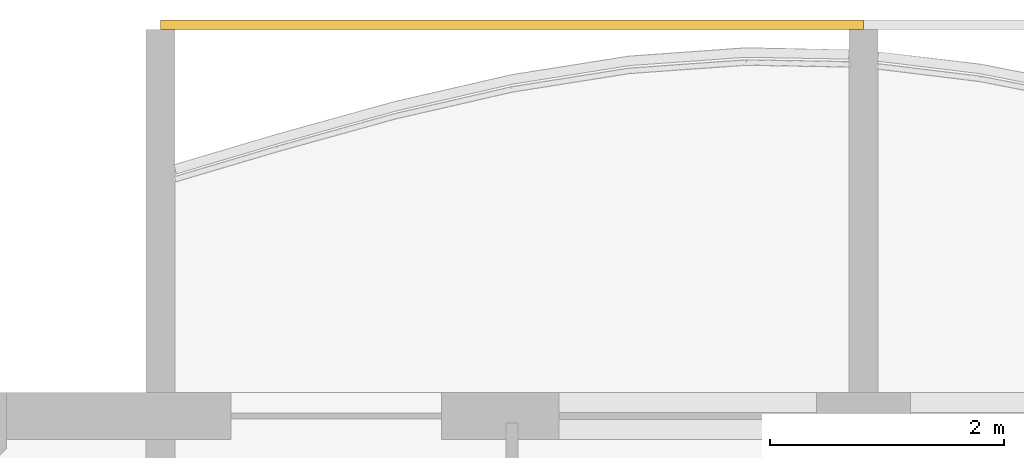
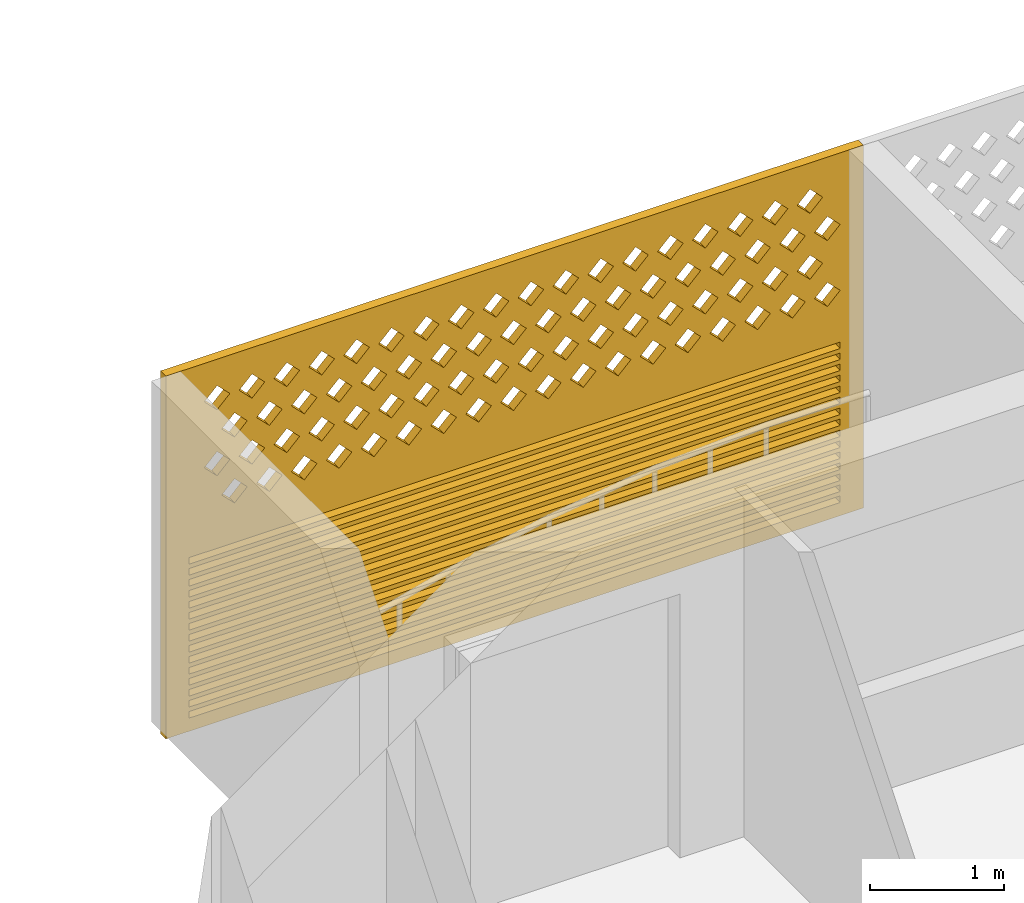
# One storey, part 16 of 28: 1 covering.
"""IFC4 building model written with IfcOpenShell, lengths in metres."""

from ifc_helpers import new_model, si_unit, direction, frame, origin, place, context, subcontext, project, spatial, polyline, outline, extrude, source, transform, mapped, material, material_profile, profile_set, type_object, element, save


model = new_model("IFC4")

# Units and contexts
model_context = context("Model", 3, precision=1e-05, world=origin(), true_north=direction((0.0, 1.0)))
body_context = subcontext(model_context, "Body", "Model", "MODEL_VIEW")
ifc_project = project(units=[si_unit("LENGTHUNIT", "METRE"), si_unit("AREAUNIT", "SQUARE_METRE"), si_unit("VOLUMEUNIT", "CUBIC_METRE"), si_unit("PLANEANGLEUNIT", "RADIAN"), si_unit("MASSUNIT", "GRAM", prefix="KILO")], contexts=[model_context])

# Site, building, storey
site_placement = place(None, origin())
site = spatial("IfcSite", under=ifc_project, at=site_placement, CompositionType="ELEMENT")
building_placement = place(site_placement, origin())
building = spatial("IfcBuilding", under=site, at=building_placement, Name="Poui Terraces", CompositionType="ELEMENT")
storey_placement = place(building_placement, frame((0.0, 0.0, 181.800048828125)))
storey = spatial("IfcBuildingStorey", under=building, at=storey_placement, Name="L50", CompositionType="ELEMENT", Elevation=181.800048828125)

# Covering
ifc_material = material(Name="Terracotta screen", Category="masonry")
ifc_material_profile = material_profile(ifc_material, outline(polyline([(-3.0, -1.64990234375), (3.0, -1.64990234375), (3.0, 1.64990234375), (-3.0, 1.64990234375), (-3.0, -1.64990234375)]), holes=[polyline([(-2.800048828125, 0.39990234375), (-2.68994140625, 0.2900390625), (-2.580078125, 0.39990234375), (-2.68994140625, 0.510009765625), (-2.800048828125, 0.39990234375)]), polyline([(-2.5, 0.39990234375), (-2.389892578125, 0.2900390625), (-2.280029296875, 0.39990234375), (-2.389892578125, 0.510009765625), (-2.5, 0.39990234375)]), polyline([(-2.199951171875, 0.39990234375), (-2.090087890625, 0.2900390625), (-1.97998046875, 0.39990234375), (-2.090087890625, 0.510009765625), (-2.199951171875, 0.39990234375)]), polyline([(-1.89990234375, 0.39990234375), (-1.7900390625, 0.2900390625), (-1.679931640625, 0.39990234375), (-1.7900390625, 0.510009765625), (-1.89990234375, 0.39990234375)]), polyline([(-1.60009765625, 0.39990234375), (-1.489990234375, 0.2900390625), (-1.3798828125, 0.39990234375), (-1.489990234375, 0.510009765625), (-1.60009765625, 0.39990234375)]), polyline([(-1.300048828125, 0.39990234375), (-1.18994140625, 0.2900390625), (-1.080078125, 0.39990234375), (-1.18994140625, 0.510009765625), (-1.300048828125, 0.39990234375)]), polyline([(-1.0, 0.39990234375), (-0.889892578125, 0.2900390625), (-0.780029296875, 0.39990234375), (-0.889892578125, 0.510009765625), (-1.0, 0.39990234375)]), polyline([(-0.699951171875, 0.39990234375), (-0.590087890625, 0.2900390625), (-0.47998046875, 0.39990234375), (-0.590087890625, 0.510009765625), (-0.699951171875, 0.39990234375)]), polyline([(-0.39990234375, 0.39990234375), (-0.2900390625, 0.2900390625), (-0.179931640625, 0.39990234375), (-0.2900390625, 0.510009765625), (-0.39990234375, 0.39990234375)]), polyline([(-0.10009765625, 0.39990234375), (0.010009765625, 0.2900390625), (0.1201171875, 0.39990234375), (0.010009765625, 0.510009765625), (-0.10009765625, 0.39990234375)]), polyline([(0.199951171875, 0.39990234375), (0.31005859375, 0.2900390625), (0.419921875, 0.39990234375), (0.31005859375, 0.510009765625), (0.199951171875, 0.39990234375)]), polyline([(0.5, 0.39990234375), (0.610107421875, 0.2900390625), (0.719970703125, 0.39990234375), (0.610107421875, 0.510009765625), (0.5, 0.39990234375)]), polyline([(0.800048828125, 0.39990234375), (0.909912109375, 0.2900390625), (1.02001953125, 0.39990234375), (0.909912109375, 0.510009765625), (0.800048828125, 0.39990234375)]), polyline([(1.10009765625, 0.39990234375), (1.2099609375, 0.2900390625), (1.320068359375, 0.39990234375), (1.2099609375, 0.510009765625), (1.10009765625, 0.39990234375)]), polyline([(1.39990234375, 0.39990234375), (1.510009765625, 0.2900390625), (1.6201171875, 0.39990234375), (1.510009765625, 0.510009765625), (1.39990234375, 0.39990234375)]), polyline([(1.699951171875, 0.39990234375), (1.81005859375, 0.2900390625), (1.919921875, 0.39990234375), (1.81005859375, 0.510009765625), (1.699951171875, 0.39990234375)]), polyline([(2.0, 0.39990234375), (2.110107421875, 0.2900390625), (2.219970703125, 0.39990234375), (2.110107421875, 0.510009765625), (2.0, 0.39990234375)]), polyline([(2.300048828125, 0.39990234375), (2.409912109375, 0.2900390625), (2.52001953125, 0.39990234375), (2.409912109375, 0.510009765625), (2.300048828125, 0.39990234375)]), polyline([(-2.64990234375, 0.699951171875), (-2.5400390625, 0.590087890625), (-2.429931640625, 0.699951171875), (-2.5400390625, 0.81005859375), (-2.64990234375, 0.699951171875)]), polyline([(-2.35009765625, 0.699951171875), (-2.239990234375, 0.590087890625), (-2.1298828125, 0.699951171875), (-2.239990234375, 0.81005859375), (-2.35009765625, 0.699951171875)]), polyline([(-2.050048828125, 0.699951171875), (-1.93994140625, 0.590087890625), (-1.830078125, 0.699951171875), (-1.93994140625, 0.81005859375), (-2.050048828125, 0.699951171875)]), polyline([(-1.75, 0.699951171875), (-1.639892578125, 0.590087890625), (-1.530029296875, 0.699951171875), (-1.639892578125, 0.81005859375), (-1.75, 0.699951171875)]), polyline([(-1.449951171875, 0.699951171875), (-1.340087890625, 0.590087890625), (-1.22998046875, 0.699951171875), (-1.340087890625, 0.81005859375), (-1.449951171875, 0.699951171875)]), polyline([(-1.14990234375, 0.699951171875), (-1.0400390625, 0.590087890625), (-0.929931640625, 0.699951171875), (-1.0400390625, 0.81005859375), (-1.14990234375, 0.699951171875)]), polyline([(-0.85009765625, 0.699951171875), (-0.739990234375, 0.590087890625), (-0.6298828125, 0.699951171875), (-0.739990234375, 0.81005859375), (-0.85009765625, 0.699951171875)]), polyline([(-0.550048828125, 0.699951171875), (-0.43994140625, 0.590087890625), (-0.330078125, 0.699951171875), (-0.43994140625, 0.81005859375), (-0.550048828125, 0.699951171875)]), polyline([(-0.25, 0.699951171875), (-0.139892578125, 0.590087890625), (-0.030029296875, 0.699951171875), (-0.139892578125, 0.81005859375), (-0.25, 0.699951171875)]), polyline([(0.050048828125, 0.699951171875), (0.159912109375, 0.590087890625), (0.27001953125, 0.699951171875), (0.159912109375, 0.81005859375), (0.050048828125, 0.699951171875)]), polyline([(0.35009765625, 0.699951171875), (0.4599609375, 0.590087890625), (0.570068359375, 0.699951171875), (0.4599609375, 0.81005859375), (0.35009765625, 0.699951171875)]), polyline([(0.64990234375, 0.699951171875), (0.760009765625, 0.590087890625), (0.8701171875, 0.699951171875), (0.760009765625, 0.81005859375), (0.64990234375, 0.699951171875)]), polyline([(0.949951171875, 0.699951171875), (1.06005859375, 0.590087890625), (1.169921875, 0.699951171875), (1.06005859375, 0.81005859375), (0.949951171875, 0.699951171875)]), polyline([(1.25, 0.699951171875), (1.360107421875, 0.590087890625), (1.469970703125, 0.699951171875), (1.360107421875, 0.81005859375), (1.25, 0.699951171875)]), polyline([(1.550048828125, 0.699951171875), (1.659912109375, 0.590087890625), (1.77001953125, 0.699951171875), (1.659912109375, 0.81005859375), (1.550048828125, 0.699951171875)]), polyline([(1.85009765625, 0.699951171875), (1.9599609375, 0.590087890625), (2.070068359375, 0.699951171875), (1.9599609375, 0.81005859375), (1.85009765625, 0.699951171875)]), polyline([(2.14990234375, 0.699951171875), (2.260009765625, 0.590087890625), (2.3701171875, 0.699951171875), (2.260009765625, 0.81005859375), (2.14990234375, 0.699951171875)]), polyline([(2.449951171875, 0.699951171875), (2.56005859375, 0.590087890625), (2.669921875, 0.699951171875), (2.56005859375, 0.81005859375), (2.449951171875, 0.699951171875)]), polyline([(-2.800048828125, 1.0), (-2.68994140625, 0.889892578125), (-2.580078125, 1.0), (-2.68994140625, 1.110107421875), (-2.800048828125, 1.0)]), polyline([(-2.5, 1.0), (-2.389892578125, 0.889892578125), (-2.280029296875, 1.0), (-2.389892578125, 1.110107421875), (-2.5, 1.0)]), polyline([(-2.199951171875, 1.0), (-2.090087890625, 0.889892578125), (-1.97998046875, 1.0), (-2.090087890625, 1.110107421875), (-2.199951171875, 1.0)]), polyline([(-1.89990234375, 1.0), (-1.7900390625, 0.889892578125), (-1.679931640625, 1.0), (-1.7900390625, 1.110107421875), (-1.89990234375, 1.0)]), polyline([(-1.60009765625, 1.0), (-1.489990234375, 0.889892578125), (-1.3798828125, 1.0), (-1.489990234375, 1.110107421875), (-1.60009765625, 1.0)]), polyline([(-1.300048828125, 1.0), (-1.18994140625, 0.889892578125), (-1.080078125, 1.0), (-1.18994140625, 1.110107421875), (-1.300048828125, 1.0)]), polyline([(-1.0, 1.0), (-0.889892578125, 0.889892578125), (-0.780029296875, 1.0), (-0.889892578125, 1.110107421875), (-1.0, 1.0)]), polyline([(-0.699951171875, 1.0), (-0.590087890625, 0.889892578125), (-0.47998046875, 1.0), (-0.590087890625, 1.110107421875), (-0.699951171875, 1.0)]), polyline([(-0.39990234375, 1.0), (-0.2900390625, 0.889892578125), (-0.179931640625, 1.0), (-0.2900390625, 1.110107421875), (-0.39990234375, 1.0)]), polyline([(-0.10009765625, 1.0), (0.010009765625, 0.889892578125), (0.1201171875, 1.0), (0.010009765625, 1.110107421875), (-0.10009765625, 1.0)]), polyline([(0.199951171875, 1.0), (0.31005859375, 0.889892578125), (0.419921875, 1.0), (0.31005859375, 1.110107421875), (0.199951171875, 1.0)]), polyline([(0.5, 1.0), (0.610107421875, 0.889892578125), (0.719970703125, 1.0), (0.610107421875, 1.110107421875), (0.5, 1.0)]), polyline([(0.800048828125, 1.0), (0.909912109375, 0.889892578125), (1.02001953125, 1.0), (0.909912109375, 1.110107421875), (0.800048828125, 1.0)]), polyline([(1.10009765625, 1.0), (1.2099609375, 0.889892578125), (1.320068359375, 1.0), (1.2099609375, 1.110107421875), (1.10009765625, 1.0)]), polyline([(1.39990234375, 1.0), (1.510009765625, 0.889892578125), (1.6201171875, 1.0), (1.510009765625, 1.110107421875), (1.39990234375, 1.0)]), polyline([(1.699951171875, 1.0), (1.81005859375, 0.889892578125), (1.919921875, 1.0), (1.81005859375, 1.110107421875), (1.699951171875, 1.0)]), polyline([(2.0, 1.0), (2.110107421875, 0.889892578125), (2.219970703125, 1.0), (2.110107421875, 1.110107421875), (2.0, 1.0)]), polyline([(2.300048828125, 1.0), (2.409912109375, 0.889892578125), (2.52001953125, 1.0), (2.409912109375, 1.110107421875), (2.300048828125, 1.0)]), polyline([(-2.64990234375, 1.300048828125), (-2.5400390625, 1.18994140625), (-2.429931640625, 1.300048828125), (-2.5400390625, 1.409912109375), (-2.64990234375, 1.300048828125)]), polyline([(-2.35009765625, 1.300048828125), (-2.239990234375, 1.18994140625), (-2.1298828125, 1.300048828125), (-2.239990234375, 1.409912109375), (-2.35009765625, 1.300048828125)]), polyline([(-2.050048828125, 1.300048828125), (-1.93994140625, 1.18994140625), (-1.830078125, 1.300048828125), (-1.93994140625, 1.409912109375), (-2.050048828125, 1.300048828125)]), polyline([(-1.75, 1.300048828125), (-1.639892578125, 1.18994140625), (-1.530029296875, 1.300048828125), (-1.639892578125, 1.409912109375), (-1.75, 1.300048828125)]), polyline([(-1.449951171875, 1.300048828125), (-1.340087890625, 1.18994140625), (-1.22998046875, 1.300048828125), (-1.340087890625, 1.409912109375), (-1.449951171875, 1.300048828125)]), polyline([(-1.14990234375, 1.300048828125), (-1.0400390625, 1.18994140625), (-0.929931640625, 1.300048828125), (-1.0400390625, 1.409912109375), (-1.14990234375, 1.300048828125)]), polyline([(-0.85009765625, 1.300048828125), (-0.739990234375, 1.18994140625), (-0.6298828125, 1.300048828125), (-0.739990234375, 1.409912109375), (-0.85009765625, 1.300048828125)]), polyline([(-0.550048828125, 1.300048828125), (-0.43994140625, 1.18994140625), (-0.330078125, 1.300048828125), (-0.43994140625, 1.409912109375), (-0.550048828125, 1.300048828125)]), polyline([(-0.25, 1.300048828125), (-0.139892578125, 1.18994140625), (-0.030029296875, 1.300048828125), (-0.139892578125, 1.409912109375), (-0.25, 1.300048828125)]), polyline([(0.050048828125, 1.300048828125), (0.159912109375, 1.18994140625), (0.27001953125, 1.300048828125), (0.159912109375, 1.409912109375), (0.050048828125, 1.300048828125)]), polyline([(0.35009765625, 1.300048828125), (0.4599609375, 1.18994140625), (0.570068359375, 1.300048828125), (0.4599609375, 1.409912109375), (0.35009765625, 1.300048828125)]), polyline([(0.64990234375, 1.300048828125), (0.760009765625, 1.18994140625), (0.8701171875, 1.300048828125), (0.760009765625, 1.409912109375), (0.64990234375, 1.300048828125)]), polyline([(0.949951171875, 1.300048828125), (1.06005859375, 1.18994140625), (1.169921875, 1.300048828125), (1.06005859375, 1.409912109375), (0.949951171875, 1.300048828125)]), polyline([(1.25, 1.300048828125), (1.360107421875, 1.18994140625), (1.469970703125, 1.300048828125), (1.360107421875, 1.409912109375), (1.25, 1.300048828125)]), polyline([(1.550048828125, 1.300048828125), (1.659912109375, 1.18994140625), (1.77001953125, 1.300048828125), (1.659912109375, 1.409912109375), (1.550048828125, 1.300048828125)]), polyline([(1.85009765625, 1.300048828125), (1.9599609375, 1.18994140625), (2.070068359375, 1.300048828125), (1.9599609375, 1.409912109375), (1.85009765625, 1.300048828125)]), polyline([(2.14990234375, 1.300048828125), (2.260009765625, 1.18994140625), (2.3701171875, 1.300048828125), (2.260009765625, 1.409912109375), (2.14990234375, 1.300048828125)]), polyline([(2.449951171875, 1.300048828125), (2.56005859375, 1.18994140625), (2.669921875, 1.300048828125), (2.56005859375, 1.409912109375), (2.449951171875, 1.300048828125)]), polyline([(-2.800048828125, -1.530029296875), (2.800048828125, -1.530029296875), (2.800048828125, -1.469970703125), (-2.800048828125, -1.469970703125), (-2.800048828125, -1.530029296875)]), polyline([(-2.800048828125, -1.429931640625), (2.800048828125, -1.429931640625), (2.800048828125, -1.3701171875), (-2.800048828125, -1.3701171875), (-2.800048828125, -1.429931640625)]), polyline([(-2.800048828125, -1.330078125), (2.800048828125, -1.330078125), (2.800048828125, -1.27001953125), (-2.800048828125, -1.27001953125), (-2.800048828125, -1.330078125)]), polyline([(-2.800048828125, -1.22998046875), (2.800048828125, -1.22998046875), (2.800048828125, -1.169921875), (-2.800048828125, -1.169921875), (-2.800048828125, -1.22998046875)]), polyline([(-2.800048828125, -1.1298828125), (2.800048828125, -1.1298828125), (2.800048828125, -1.070068359375), (-2.800048828125, -1.070068359375), (-2.800048828125, -1.1298828125)]), polyline([(-2.800048828125, -1.030029296875), (2.800048828125, -1.030029296875), (2.800048828125, -0.969970703125), (-2.800048828125, -0.969970703125), (-2.800048828125, -1.030029296875)]), polyline([(-2.800048828125, -0.929931640625), (2.800048828125, -0.929931640625), (2.800048828125, -0.8701171875), (-2.800048828125, -0.8701171875), (-2.800048828125, -0.929931640625)]), polyline([(-2.800048828125, -0.830078125), (2.800048828125, -0.830078125), (2.800048828125, -0.77001953125), (-2.800048828125, -0.77001953125), (-2.800048828125, -0.830078125)]), polyline([(-2.800048828125, -0.72998046875), (2.800048828125, -0.72998046875), (2.800048828125, -0.669921875), (-2.800048828125, -0.669921875), (-2.800048828125, -0.72998046875)]), polyline([(-2.800048828125, -0.6298828125), (2.800048828125, -0.6298828125), (2.800048828125, -0.570068359375), (-2.800048828125, -0.570068359375), (-2.800048828125, -0.6298828125)]), polyline([(-2.800048828125, -0.530029296875), (2.800048828125, -0.530029296875), (2.800048828125, -0.469970703125), (-2.800048828125, -0.469970703125), (-2.800048828125, -0.530029296875)]), polyline([(-2.800048828125, -0.429931640625), (2.800048828125, -0.429931640625), (2.800048828125, -0.3701171875), (-2.800048828125, -0.3701171875), (-2.800048828125, -0.429931640625)]), polyline([(-2.800048828125, -0.330078125), (2.800048828125, -0.330078125), (2.800048828125, -0.27001953125), (-2.800048828125, -0.27001953125), (-2.800048828125, -0.330078125)]), polyline([(-2.800048828125, -0.22998046875), (2.800048828125, -0.22998046875), (2.800048828125, -0.169921875), (-2.800048828125, -0.169921875), (-2.800048828125, -0.22998046875)]), polyline([(-2.800048828125, -0.1298828125), (2.800048828125, -0.1298828125), (2.800048828125, -0.070068359375), (-2.800048828125, -0.070068359375), (-2.800048828125, -0.1298828125)])]), Name="TERRACOTTA SCREEN AND JALOUSIE LOUVRE 6000X3300")
ifc_profile_set = profile_set([ifc_material_profile], Name="Terracotta screen")
covering_type = type_object("IfcCoveringType", Name="TERRACOTTA SCREEN AND JALOUSIE LOUVRE 6000X3300", PredefinedType="CLADDING", material=ifc_profile_set)
shared_shape = source(origin(), body_context, "Body", "SweptSolid", [
    extrude(outline(polyline([(-3.0, -1.64990234375), (3.0, -1.64990234375), (3.0, 1.64990234375), (-3.0, 1.64990234375), (-3.0, -1.64990234375)]), holes=[polyline([(-2.800048828125, 0.39990234375), (-2.68994140625, 0.2900390625), (-2.580078125, 0.39990234375), (-2.68994140625, 0.510009765625), (-2.800048828125, 0.39990234375)]), polyline([(-2.5, 0.39990234375), (-2.389892578125, 0.2900390625), (-2.280029296875, 0.39990234375), (-2.389892578125, 0.510009765625), (-2.5, 0.39990234375)]), polyline([(-2.199951171875, 0.39990234375), (-2.090087890625, 0.2900390625), (-1.97998046875, 0.39990234375), (-2.090087890625, 0.510009765625), (-2.199951171875, 0.39990234375)]), polyline([(-1.89990234375, 0.39990234375), (-1.7900390625, 0.2900390625), (-1.679931640625, 0.39990234375), (-1.7900390625, 0.510009765625), (-1.89990234375, 0.39990234375)]), polyline([(-1.60009765625, 0.39990234375), (-1.489990234375, 0.2900390625), (-1.3798828125, 0.39990234375), (-1.489990234375, 0.510009765625), (-1.60009765625, 0.39990234375)]), polyline([(-1.300048828125, 0.39990234375), (-1.18994140625, 0.2900390625), (-1.080078125, 0.39990234375), (-1.18994140625, 0.510009765625), (-1.300048828125, 0.39990234375)]), polyline([(-1.0, 0.39990234375), (-0.889892578125, 0.2900390625), (-0.780029296875, 0.39990234375), (-0.889892578125, 0.510009765625), (-1.0, 0.39990234375)]), polyline([(-0.699951171875, 0.39990234375), (-0.590087890625, 0.2900390625), (-0.47998046875, 0.39990234375), (-0.590087890625, 0.510009765625), (-0.699951171875, 0.39990234375)]), polyline([(-0.39990234375, 0.39990234375), (-0.2900390625, 0.2900390625), (-0.179931640625, 0.39990234375), (-0.2900390625, 0.510009765625), (-0.39990234375, 0.39990234375)]), polyline([(-0.10009765625, 0.39990234375), (0.010009765625, 0.2900390625), (0.1201171875, 0.39990234375), (0.010009765625, 0.510009765625), (-0.10009765625, 0.39990234375)]), polyline([(0.199951171875, 0.39990234375), (0.31005859375, 0.2900390625), (0.419921875, 0.39990234375), (0.31005859375, 0.510009765625), (0.199951171875, 0.39990234375)]), polyline([(0.5, 0.39990234375), (0.610107421875, 0.2900390625), (0.719970703125, 0.39990234375), (0.610107421875, 0.510009765625), (0.5, 0.39990234375)]), polyline([(0.800048828125, 0.39990234375), (0.909912109375, 0.2900390625), (1.02001953125, 0.39990234375), (0.909912109375, 0.510009765625), (0.800048828125, 0.39990234375)]), polyline([(1.10009765625, 0.39990234375), (1.2099609375, 0.2900390625), (1.320068359375, 0.39990234375), (1.2099609375, 0.510009765625), (1.10009765625, 0.39990234375)]), polyline([(1.39990234375, 0.39990234375), (1.510009765625, 0.2900390625), (1.6201171875, 0.39990234375), (1.510009765625, 0.510009765625), (1.39990234375, 0.39990234375)]), polyline([(1.699951171875, 0.39990234375), (1.81005859375, 0.2900390625), (1.919921875, 0.39990234375), (1.81005859375, 0.510009765625), (1.699951171875, 0.39990234375)]), polyline([(2.0, 0.39990234375), (2.110107421875, 0.2900390625), (2.219970703125, 0.39990234375), (2.110107421875, 0.510009765625), (2.0, 0.39990234375)]), polyline([(2.300048828125, 0.39990234375), (2.409912109375, 0.2900390625), (2.52001953125, 0.39990234375), (2.409912109375, 0.510009765625), (2.300048828125, 0.39990234375)]), polyline([(-2.64990234375, 0.699951171875), (-2.5400390625, 0.590087890625), (-2.429931640625, 0.699951171875), (-2.5400390625, 0.81005859375), (-2.64990234375, 0.699951171875)]), polyline([(-2.35009765625, 0.699951171875), (-2.239990234375, 0.590087890625), (-2.1298828125, 0.699951171875), (-2.239990234375, 0.81005859375), (-2.35009765625, 0.699951171875)]), polyline([(-2.050048828125, 0.699951171875), (-1.93994140625, 0.590087890625), (-1.830078125, 0.699951171875), (-1.93994140625, 0.81005859375), (-2.050048828125, 0.699951171875)]), polyline([(-1.75, 0.699951171875), (-1.639892578125, 0.590087890625), (-1.530029296875, 0.699951171875), (-1.639892578125, 0.81005859375), (-1.75, 0.699951171875)]), polyline([(-1.449951171875, 0.699951171875), (-1.340087890625, 0.590087890625), (-1.22998046875, 0.699951171875), (-1.340087890625, 0.81005859375), (-1.449951171875, 0.699951171875)]), polyline([(-1.14990234375, 0.699951171875), (-1.0400390625, 0.590087890625), (-0.929931640625, 0.699951171875), (-1.0400390625, 0.81005859375), (-1.14990234375, 0.699951171875)]), polyline([(-0.85009765625, 0.699951171875), (-0.739990234375, 0.590087890625), (-0.6298828125, 0.699951171875), (-0.739990234375, 0.81005859375), (-0.85009765625, 0.699951171875)]), polyline([(-0.550048828125, 0.699951171875), (-0.43994140625, 0.590087890625), (-0.330078125, 0.699951171875), (-0.43994140625, 0.81005859375), (-0.550048828125, 0.699951171875)]), polyline([(-0.25, 0.699951171875), (-0.139892578125, 0.590087890625), (-0.030029296875, 0.699951171875), (-0.139892578125, 0.81005859375), (-0.25, 0.699951171875)]), polyline([(0.050048828125, 0.699951171875), (0.159912109375, 0.590087890625), (0.27001953125, 0.699951171875), (0.159912109375, 0.81005859375), (0.050048828125, 0.699951171875)]), polyline([(0.35009765625, 0.699951171875), (0.4599609375, 0.590087890625), (0.570068359375, 0.699951171875), (0.4599609375, 0.81005859375), (0.35009765625, 0.699951171875)]), polyline([(0.64990234375, 0.699951171875), (0.760009765625, 0.590087890625), (0.8701171875, 0.699951171875), (0.760009765625, 0.81005859375), (0.64990234375, 0.699951171875)]), polyline([(0.949951171875, 0.699951171875), (1.06005859375, 0.590087890625), (1.169921875, 0.699951171875), (1.06005859375, 0.81005859375), (0.949951171875, 0.699951171875)]), polyline([(1.25, 0.699951171875), (1.360107421875, 0.590087890625), (1.469970703125, 0.699951171875), (1.360107421875, 0.81005859375), (1.25, 0.699951171875)]), polyline([(1.550048828125, 0.699951171875), (1.659912109375, 0.590087890625), (1.77001953125, 0.699951171875), (1.659912109375, 0.81005859375), (1.550048828125, 0.699951171875)]), polyline([(1.85009765625, 0.699951171875), (1.9599609375, 0.590087890625), (2.070068359375, 0.699951171875), (1.9599609375, 0.81005859375), (1.85009765625, 0.699951171875)]), polyline([(2.14990234375, 0.699951171875), (2.260009765625, 0.590087890625), (2.3701171875, 0.699951171875), (2.260009765625, 0.81005859375), (2.14990234375, 0.699951171875)]), polyline([(2.449951171875, 0.699951171875), (2.56005859375, 0.590087890625), (2.669921875, 0.699951171875), (2.56005859375, 0.81005859375), (2.449951171875, 0.699951171875)]), polyline([(-2.800048828125, 1.0), (-2.68994140625, 0.889892578125), (-2.580078125, 1.0), (-2.68994140625, 1.110107421875), (-2.800048828125, 1.0)]), polyline([(-2.5, 1.0), (-2.389892578125, 0.889892578125), (-2.280029296875, 1.0), (-2.389892578125, 1.110107421875), (-2.5, 1.0)]), polyline([(-2.199951171875, 1.0), (-2.090087890625, 0.889892578125), (-1.97998046875, 1.0), (-2.090087890625, 1.110107421875), (-2.199951171875, 1.0)]), polyline([(-1.89990234375, 1.0), (-1.7900390625, 0.889892578125), (-1.679931640625, 1.0), (-1.7900390625, 1.110107421875), (-1.89990234375, 1.0)]), polyline([(-1.60009765625, 1.0), (-1.489990234375, 0.889892578125), (-1.3798828125, 1.0), (-1.489990234375, 1.110107421875), (-1.60009765625, 1.0)]), polyline([(-1.300048828125, 1.0), (-1.18994140625, 0.889892578125), (-1.080078125, 1.0), (-1.18994140625, 1.110107421875), (-1.300048828125, 1.0)]), polyline([(-1.0, 1.0), (-0.889892578125, 0.889892578125), (-0.780029296875, 1.0), (-0.889892578125, 1.110107421875), (-1.0, 1.0)]), polyline([(-0.699951171875, 1.0), (-0.590087890625, 0.889892578125), (-0.47998046875, 1.0), (-0.590087890625, 1.110107421875), (-0.699951171875, 1.0)]), polyline([(-0.39990234375, 1.0), (-0.2900390625, 0.889892578125), (-0.179931640625, 1.0), (-0.2900390625, 1.110107421875), (-0.39990234375, 1.0)]), polyline([(-0.10009765625, 1.0), (0.010009765625, 0.889892578125), (0.1201171875, 1.0), (0.010009765625, 1.110107421875), (-0.10009765625, 1.0)]), polyline([(0.199951171875, 1.0), (0.31005859375, 0.889892578125), (0.419921875, 1.0), (0.31005859375, 1.110107421875), (0.199951171875, 1.0)]), polyline([(0.5, 1.0), (0.610107421875, 0.889892578125), (0.719970703125, 1.0), (0.610107421875, 1.110107421875), (0.5, 1.0)]), polyline([(0.800048828125, 1.0), (0.909912109375, 0.889892578125), (1.02001953125, 1.0), (0.909912109375, 1.110107421875), (0.800048828125, 1.0)]), polyline([(1.10009765625, 1.0), (1.2099609375, 0.889892578125), (1.320068359375, 1.0), (1.2099609375, 1.110107421875), (1.10009765625, 1.0)]), polyline([(1.39990234375, 1.0), (1.510009765625, 0.889892578125), (1.6201171875, 1.0), (1.510009765625, 1.110107421875), (1.39990234375, 1.0)]), polyline([(1.699951171875, 1.0), (1.81005859375, 0.889892578125), (1.919921875, 1.0), (1.81005859375, 1.110107421875), (1.699951171875, 1.0)]), polyline([(2.0, 1.0), (2.110107421875, 0.889892578125), (2.219970703125, 1.0), (2.110107421875, 1.110107421875), (2.0, 1.0)]), polyline([(2.300048828125, 1.0), (2.409912109375, 0.889892578125), (2.52001953125, 1.0), (2.409912109375, 1.110107421875), (2.300048828125, 1.0)]), polyline([(-2.64990234375, 1.300048828125), (-2.5400390625, 1.18994140625), (-2.429931640625, 1.300048828125), (-2.5400390625, 1.409912109375), (-2.64990234375, 1.300048828125)]), polyline([(-2.35009765625, 1.300048828125), (-2.239990234375, 1.18994140625), (-2.1298828125, 1.300048828125), (-2.239990234375, 1.409912109375), (-2.35009765625, 1.300048828125)]), polyline([(-2.050048828125, 1.300048828125), (-1.93994140625, 1.18994140625), (-1.830078125, 1.300048828125), (-1.93994140625, 1.409912109375), (-2.050048828125, 1.300048828125)]), polyline([(-1.75, 1.300048828125), (-1.639892578125, 1.18994140625), (-1.530029296875, 1.300048828125), (-1.639892578125, 1.409912109375), (-1.75, 1.300048828125)]), polyline([(-1.449951171875, 1.300048828125), (-1.340087890625, 1.18994140625), (-1.22998046875, 1.300048828125), (-1.340087890625, 1.409912109375), (-1.449951171875, 1.300048828125)]), polyline([(-1.14990234375, 1.300048828125), (-1.0400390625, 1.18994140625), (-0.929931640625, 1.300048828125), (-1.0400390625, 1.409912109375), (-1.14990234375, 1.300048828125)]), polyline([(-0.85009765625, 1.300048828125), (-0.739990234375, 1.18994140625), (-0.6298828125, 1.300048828125), (-0.739990234375, 1.409912109375), (-0.85009765625, 1.300048828125)]), polyline([(-0.550048828125, 1.300048828125), (-0.43994140625, 1.18994140625), (-0.330078125, 1.300048828125), (-0.43994140625, 1.409912109375), (-0.550048828125, 1.300048828125)]), polyline([(-0.25, 1.300048828125), (-0.139892578125, 1.18994140625), (-0.030029296875, 1.300048828125), (-0.139892578125, 1.409912109375), (-0.25, 1.300048828125)]), polyline([(0.050048828125, 1.300048828125), (0.159912109375, 1.18994140625), (0.27001953125, 1.300048828125), (0.159912109375, 1.409912109375), (0.050048828125, 1.300048828125)]), polyline([(0.35009765625, 1.300048828125), (0.4599609375, 1.18994140625), (0.570068359375, 1.300048828125), (0.4599609375, 1.409912109375), (0.35009765625, 1.300048828125)]), polyline([(0.64990234375, 1.300048828125), (0.760009765625, 1.18994140625), (0.8701171875, 1.300048828125), (0.760009765625, 1.409912109375), (0.64990234375, 1.300048828125)]), polyline([(0.949951171875, 1.300048828125), (1.06005859375, 1.18994140625), (1.169921875, 1.300048828125), (1.06005859375, 1.409912109375), (0.949951171875, 1.300048828125)]), polyline([(1.25, 1.300048828125), (1.360107421875, 1.18994140625), (1.469970703125, 1.300048828125), (1.360107421875, 1.409912109375), (1.25, 1.300048828125)]), polyline([(1.550048828125, 1.300048828125), (1.659912109375, 1.18994140625), (1.77001953125, 1.300048828125), (1.659912109375, 1.409912109375), (1.550048828125, 1.300048828125)]), polyline([(1.85009765625, 1.300048828125), (1.9599609375, 1.18994140625), (2.070068359375, 1.300048828125), (1.9599609375, 1.409912109375), (1.85009765625, 1.300048828125)]), polyline([(2.14990234375, 1.300048828125), (2.260009765625, 1.18994140625), (2.3701171875, 1.300048828125), (2.260009765625, 1.409912109375), (2.14990234375, 1.300048828125)]), polyline([(2.449951171875, 1.300048828125), (2.56005859375, 1.18994140625), (2.669921875, 1.300048828125), (2.56005859375, 1.409912109375), (2.449951171875, 1.300048828125)]), polyline([(-2.800048828125, -1.530029296875), (2.800048828125, -1.530029296875), (2.800048828125, -1.469970703125), (-2.800048828125, -1.469970703125), (-2.800048828125, -1.530029296875)]), polyline([(-2.800048828125, -1.429931640625), (2.800048828125, -1.429931640625), (2.800048828125, -1.3701171875), (-2.800048828125, -1.3701171875), (-2.800048828125, -1.429931640625)]), polyline([(-2.800048828125, -1.330078125), (2.800048828125, -1.330078125), (2.800048828125, -1.27001953125), (-2.800048828125, -1.27001953125), (-2.800048828125, -1.330078125)]), polyline([(-2.800048828125, -1.22998046875), (2.800048828125, -1.22998046875), (2.800048828125, -1.169921875), (-2.800048828125, -1.169921875), (-2.800048828125, -1.22998046875)]), polyline([(-2.800048828125, -1.1298828125), (2.800048828125, -1.1298828125), (2.800048828125, -1.070068359375), (-2.800048828125, -1.070068359375), (-2.800048828125, -1.1298828125)]), polyline([(-2.800048828125, -1.030029296875), (2.800048828125, -1.030029296875), (2.800048828125, -0.969970703125), (-2.800048828125, -0.969970703125), (-2.800048828125, -1.030029296875)]), polyline([(-2.800048828125, -0.929931640625), (2.800048828125, -0.929931640625), (2.800048828125, -0.8701171875), (-2.800048828125, -0.8701171875), (-2.800048828125, -0.929931640625)]), polyline([(-2.800048828125, -0.830078125), (2.800048828125, -0.830078125), (2.800048828125, -0.77001953125), (-2.800048828125, -0.77001953125), (-2.800048828125, -0.830078125)]), polyline([(-2.800048828125, -0.72998046875), (2.800048828125, -0.72998046875), (2.800048828125, -0.669921875), (-2.800048828125, -0.669921875), (-2.800048828125, -0.72998046875)]), polyline([(-2.800048828125, -0.6298828125), (2.800048828125, -0.6298828125), (2.800048828125, -0.570068359375), (-2.800048828125, -0.570068359375), (-2.800048828125, -0.6298828125)]), polyline([(-2.800048828125, -0.530029296875), (2.800048828125, -0.530029296875), (2.800048828125, -0.469970703125), (-2.800048828125, -0.469970703125), (-2.800048828125, -0.530029296875)]), polyline([(-2.800048828125, -0.429931640625), (2.800048828125, -0.429931640625), (2.800048828125, -0.3701171875), (-2.800048828125, -0.3701171875), (-2.800048828125, -0.429931640625)]), polyline([(-2.800048828125, -0.330078125), (2.800048828125, -0.330078125), (2.800048828125, -0.27001953125), (-2.800048828125, -0.27001953125), (-2.800048828125, -0.330078125)]), polyline([(-2.800048828125, -0.22998046875), (2.800048828125, -0.22998046875), (2.800048828125, -0.169921875), (-2.800048828125, -0.169921875), (-2.800048828125, -0.22998046875)]), polyline([(-2.800048828125, -0.1298828125), (2.800048828125, -0.1298828125), (2.800048828125, -0.070068359375), (-2.800048828125, -0.070068359375), (-2.800048828125, -0.1298828125)])]), origin(), (0.0, 0.0, 1.0), 0.080078125),
])
covering_placement = place(storey_placement, frame((27.0, 44.5, 1.449951171875), z_axis=(0.0, 1.0, 0.0), x_axis=(-1.0, 0.0, 0.0)))
element("IfcCovering", 1, at=covering_placement, inside=storey, type_object=covering_type, Name="SOLAR SCREEN AND JALOUSIE LOUVRE", PredefinedType="CLADDING", context=body_context, shape_type="MappedRepresentation", body=[
    mapped(shared_shape, transform((0.0, 0.0, 0.0))),
])

save(model, "model.ifc")
